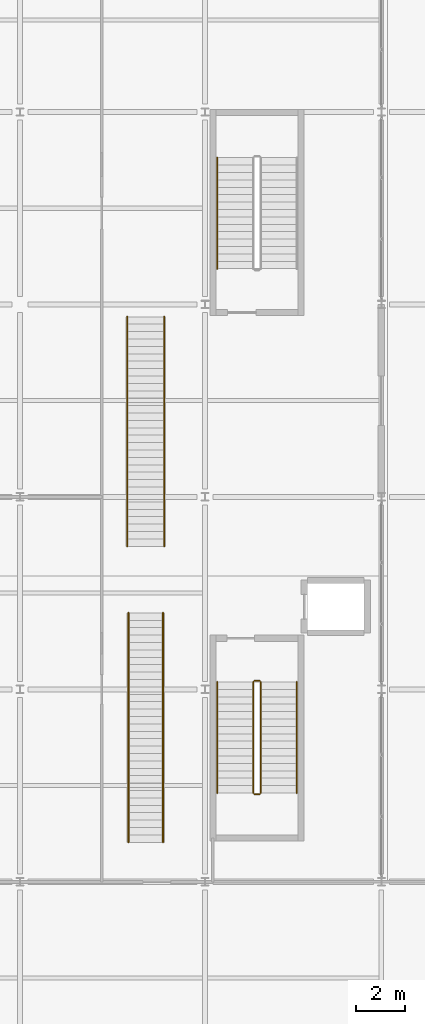
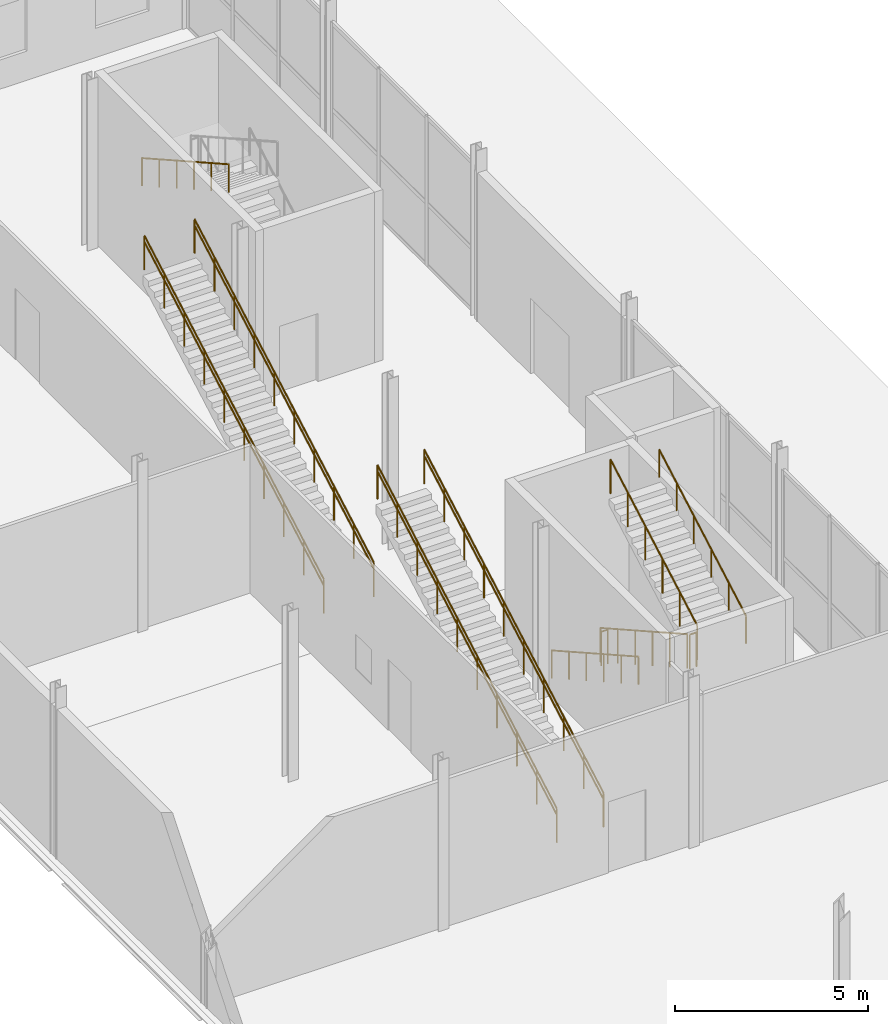
# One storey, part 75 of 83: 15 railings.
"""IFC4 building model written with IfcOpenShell, lengths in metres."""

from ifc_helpers import new_model, si_unit, direction, frame, origin, origin_2d, place, context, subcontext, project, spatial, circle, extrude, material, type_object, element, save


model = new_model("IFC4")

# Units and contexts
model_context = context("Model", 3, precision=1e-05, world=origin(), true_north=direction((0.0, 1.0)))
body_context = subcontext(model_context, "Body", "Model", "MODEL_VIEW")
ifc_project = project(units=[si_unit("LENGTHUNIT", "METRE"), si_unit("AREAUNIT", "SQUARE_METRE"), si_unit("VOLUMEUNIT", "CUBIC_METRE"), si_unit("PLANEANGLEUNIT", "RADIAN"), si_unit("MASSUNIT", "GRAM", prefix="KILO")], contexts=[model_context])

# Site, building, storey
site_placement = place(None, origin())
site = spatial("IfcSite", under=ifc_project, at=site_placement, CompositionType="ELEMENT")
building_placement = place(site_placement, origin())
building = spatial("IfcBuilding", under=site, at=building_placement, Name="Quillay Park Conservatory", CompositionType="ELEMENT")
storey_placement = place(building_placement, origin())
storey = spatial("IfcBuildingStorey", under=building, at=storey_placement, Name="L00", CompositionType="ELEMENT", Elevation=0.0)

# Railings
ifc_material_1 = material(Name="Steel S355J2H", Category="steel")
railing_type_1 = type_object("IfcRailingType", Name="STAIR WALL HANDRAIL 900", PredefinedType="HANDRAIL", material=ifc_material_1)
railing_1_placement = place(storey_placement, frame((15.5, 23.699951171875, 0.168701171875)))
element("IfcRailing", 1, at=railing_1_placement, inside=storey, type_object=railing_type_1, Name="L00 ST-V1 stair handrail 1", PredefinedType="HANDRAIL", context=body_context, shape_type="SweptSolid", body=[
    extrude(circle(Radius=0.02392578125, at=origin_2d()), frame((0.0, 0.0, 0.8759765625), z_axis=(0.0, -0.871575537125, 0.490261239633), x_axis=(1.0, 0.0, 0.0)), (0.0, 0.0, 1.0), 5.1630859375),
    extrude(circle(Radius=0.02099609375, at=origin_2d()), origin(), (0.0, 0.0, 1.0), 0.851806640625),
    extrude(circle(Radius=0.02099609375, at=origin_2d()), frame((0.0, -0.89990234375, 0.50634765625)), (0.0, 0.0, 1.0), 0.851806640625),
    extrude(circle(Radius=0.02099609375, at=origin_2d()), frame((0.0, -1.800048828125, 1.012451171875)), (0.0, 0.0, 1.0), 0.851806640625),
    extrude(circle(Radius=0.02099609375, at=origin_2d()), frame((0.0, -2.699951171875, 1.518798828125)), (0.0, 0.0, 1.0), 0.851806640625),
    extrude(circle(Radius=0.02099609375, at=origin_2d()), frame((0.0, -3.60009765625, 2.02490234375)), (0.0, 0.0, 1.0), 0.851806640625),
    extrude(circle(Radius=0.02099609375, at=origin_2d()), frame((0.0, -4.5, 2.53125)), (0.0, 0.0, 1.0), 0.851806640625),
])
railing_2_placement = place(storey_placement, frame((18.719970703125, 19.199951171875, 2.86865234375)))
element("IfcRailing", 2, at=railing_2_placement, inside=storey, type_object=railing_type_1, Name="L00 ST-V1 stair handrail 2", PredefinedType="HANDRAIL", context=body_context, shape_type="SweptSolid", body=[
    extrude(circle(Radius=0.02392578125, at=origin_2d()), frame((0.0, 0.0, 0.8759765625), z_axis=(0.0, 0.871575537125, 0.490261239633), x_axis=(-1.0, 0.0, 0.0)), (0.0, 0.0, 1.0), 5.1630859375),
    extrude(circle(Radius=0.02099609375, at=origin_2d()), origin(), (0.0, 0.0, 1.0), 0.851806640625),
    extrude(circle(Radius=0.02099609375, at=origin_2d()), frame((0.0, 0.89990234375, 0.50634765625)), (0.0, 0.0, 1.0), 0.851806640625),
    extrude(circle(Radius=0.02099609375, at=origin_2d()), frame((0.0, 1.800048828125, 1.012451171875)), (0.0, 0.0, 1.0), 0.851806640625),
    extrude(circle(Radius=0.02099609375, at=origin_2d()), frame((0.0, 2.699951171875, 1.518798828125)), (0.0, 0.0, 1.0), 0.851806640625),
    extrude(circle(Radius=0.02099609375, at=origin_2d()), frame((0.0, 3.60009765625, 2.02490234375)), (0.0, 0.0, 1.0), 0.851806640625),
    extrude(circle(Radius=0.02099609375, at=origin_2d()), frame((0.0, 4.5, 2.53125)), (0.0, 0.0, 1.0), 0.851806640625),
])
railing_3_placement = place(storey_placement, frame((15.5, 44.949951171875, 2.86865234375)))
element("IfcRailing", 3, at=railing_3_placement, inside=storey, type_object=railing_type_1, Name="L00 ST-V2 stair handrail 2", PredefinedType="HANDRAIL", context=body_context, shape_type="SweptSolid", body=[
    extrude(circle(Radius=0.02392578125, at=origin_2d()), frame((0.0, 0.0, 0.8759765625), z_axis=(0.0, -0.871575537125, 0.490261239633), x_axis=(1.0, 0.0, 0.0)), (0.0, 0.0, 1.0), 5.1630859375),
    extrude(circle(Radius=0.02099609375, at=origin_2d()), origin(), (0.0, 0.0, 1.0), 0.851806640625),
    extrude(circle(Radius=0.02099609375, at=origin_2d()), frame((0.0, -0.89990234375, 0.50634765625)), (0.0, 0.0, 1.0), 0.851806640625),
    extrude(circle(Radius=0.02099609375, at=origin_2d()), frame((0.0, -1.800048828125, 1.012451171875)), (0.0, 0.0, 1.0), 0.851806640625),
    extrude(circle(Radius=0.02099609375, at=origin_2d()), frame((0.0, -2.699951171875, 1.518798828125)), (0.0, 0.0, 1.0), 0.851806640625),
    extrude(circle(Radius=0.02099609375, at=origin_2d()), frame((0.0, -3.60009765625, 2.02490234375)), (0.0, 0.0, 1.0), 0.851806640625),
    extrude(circle(Radius=0.02099609375, at=origin_2d()), frame((0.0, -4.5, 2.53125)), (0.0, 0.0, 1.0), 0.851806640625),
])
for number, where, name in (
    (4, (13.300048828125, 17.199951171875, 0.168701171875), "ST-FT03-L00 Feature Stair Handrail L"),
    (5, (11.89990234375, 17.199951171875, 0.168701171875), "ST-FT03-L00 Feature Stair Handrail R"),
    (6, (13.35009765625, 29.199951171875, 0.168701171875), "ST-FT04-L00 Feature Stair Handrail L"),
    (7, (11.85009765625, 29.199951171875, 0.168701171875), "ST-FT04-L00 Feature Stair Handrail R"),
):
    element("IfcRailing", number, at=place(storey_placement, frame(where)), inside=storey, type_object=railing_type_1, Name=name, PredefinedType="HANDRAIL", context=body_context, shape_type="SweptSolid", body=[
        extrude(circle(Radius=0.02392578125, at=origin_2d()), frame((0.0, 0.0, 0.8759765625), z_axis=(0.0, 0.871578592338, 0.490255808102), x_axis=(-1.0, 0.0, 0.0)), (0.0, 0.0, 1.0), 10.67041015625),
        extrude(circle(Radius=0.02099609375, at=origin_2d()), origin(), (0.0, 0.0, 1.0), 0.851806640625),
        extrude(circle(Radius=0.02099609375, at=origin_2d()), frame((0.0, 1.033447265625, 0.581298828125)), (0.0, 0.0, 1.0), 0.851806640625),
        extrude(circle(Radius=0.02099609375, at=origin_2d()), frame((0.0, 2.066650390625, 1.16259765625)), (0.0, 0.0, 1.0), 0.851806640625),
        extrude(circle(Radius=0.02099609375, at=origin_2d()), frame((0.0, 3.10009765625, 1.74365234375)), (0.0, 0.0, 1.0), 0.851806640625),
        extrude(circle(Radius=0.02099609375, at=origin_2d()), frame((0.0, 4.13330078125, 2.324951171875)), (0.0, 0.0, 1.0), 0.851806640625),
        extrude(circle(Radius=0.02099609375, at=origin_2d()), frame((0.0, 5.166748046875, 2.90625)), (0.0, 0.0, 1.0), 0.851806640625),
        extrude(circle(Radius=0.02099609375, at=origin_2d()), frame((0.0, 6.199951171875, 3.487548828125)), (0.0, 0.0, 1.0), 0.851806640625),
        extrude(circle(Radius=0.02099609375, at=origin_2d()), frame((0.0, 7.2333984375, 4.068603515625)), (0.0, 0.0, 1.0), 0.851806640625),
        extrude(circle(Radius=0.02099609375, at=origin_2d()), frame((0.0, 8.2666015625, 4.64990234375)), (0.0, 0.0, 1.0), 0.851806640625),
        extrude(circle(Radius=0.02099609375, at=origin_2d()), frame((0.0, 9.300048828125, 5.231201171875)), (0.0, 0.0, 1.0), 0.851806640625),
    ])
ifc_material_2 = material(Name="Steel S355J2H", Category="steel")
railing_type_2 = type_object("IfcRailingType", Name="STAIR WELL GUARDRAIL 1100", PredefinedType="GUARDRAIL", material=ifc_material_2)
railing_4_placement = place(storey_placement, frame((16.9599609375, 23.699951171875, 0.168701171875)))
element("IfcRailing", 8, at=railing_4_placement, inside=storey, type_object=railing_type_2, Name="L00 ST-V1 stair guard 1", PredefinedType="GUARDRAIL", context=body_context, shape_type="SweptSolid", body=[
    extrude(circle(Radius=0.02392578125, at=origin_2d()), frame((0.0, 0.0, 1.076171875), z_axis=(0.0, -0.871575537125, 0.490261239633), x_axis=(1.0, 0.0, 0.0)), (0.0, 0.0, 1.0), 5.1630859375),
    extrude(circle(Radius=0.02099609375, at=origin_2d()), origin(), (0.0, 0.0, 1.0), 1.052001953125),
    extrude(circle(Radius=0.02099609375, at=origin_2d()), frame((0.0, -0.89990234375, 0.50634765625)), (0.0, 0.0, 1.0), 1.052001953125),
    extrude(circle(Radius=0.02099609375, at=origin_2d()), frame((0.0, -1.800048828125, 1.012451171875)), (0.0, 0.0, 1.0), 1.052001953125),
    extrude(circle(Radius=0.02099609375, at=origin_2d()), frame((0.0, -2.699951171875, 1.518798828125)), (0.0, 0.0, 1.0), 1.052001953125),
    extrude(circle(Radius=0.02099609375, at=origin_2d()), frame((0.0, -3.60009765625, 2.02490234375)), (0.0, 0.0, 1.0), 1.052001953125),
    extrude(circle(Radius=0.02099609375, at=origin_2d()), frame((0.0, -4.5, 2.53125)), (0.0, 0.0, 1.0), 1.052001953125),
])
railing_5_placement = place(storey_placement, frame((17.010009765625, 19.14990234375, 2.699951171875)))
element("IfcRailing", 9, at=railing_5_placement, inside=storey, type_object=railing_type_2, Name="L00 ST-V1 stair guard 2", PredefinedType="GUARDRAIL", context=body_context, shape_type="SweptSolid", body=[
    extrude(circle(Radius=0.02392578125, at=origin_2d()), frame((0.0, 0.0, 1.076171875), z_axis=(1.0, 0.0, 0.0), x_axis=(0.0, 1.0, 0.0)), (0.0, 0.0, 1.0), 0.199951171875),
    extrude(circle(Radius=0.02099609375, at=origin_2d()), origin(), (0.0, 0.0, 1.0), 1.052001953125),
    extrude(circle(Radius=0.02099609375, at=origin_2d()), frame((0.199951171875, 0.0, 0.0)), (0.0, 0.0, 1.0), 1.052001953125),
])
railing_6_placement = place(storey_placement, frame((17.260009765625, 19.199951171875, 2.86865234375)))
element("IfcRailing", 10, at=railing_6_placement, inside=storey, type_object=railing_type_2, Name="L00 ST-V1 stair guard 3", PredefinedType="GUARDRAIL", context=body_context, shape_type="SweptSolid", body=[
    extrude(circle(Radius=0.02392578125, at=origin_2d()), frame((0.0, 0.0, 1.076171875), z_axis=(0.0, 0.871575537125, 0.490261239633), x_axis=(-1.0, 0.0, 0.0)), (0.0, 0.0, 1.0), 5.1630859375),
    extrude(circle(Radius=0.02099609375, at=origin_2d()), origin(), (0.0, 0.0, 1.0), 1.052001953125),
    extrude(circle(Radius=0.02099609375, at=origin_2d()), frame((0.0, 0.89990234375, 0.50634765625)), (0.0, 0.0, 1.0), 1.052001953125),
    extrude(circle(Radius=0.02099609375, at=origin_2d()), frame((0.0, 1.800048828125, 1.012451171875)), (0.0, 0.0, 1.0), 1.052001953125),
    extrude(circle(Radius=0.02099609375, at=origin_2d()), frame((0.0, 2.699951171875, 1.518798828125)), (0.0, 0.0, 1.0), 1.052001953125),
    extrude(circle(Radius=0.02099609375, at=origin_2d()), frame((0.0, 3.60009765625, 2.02490234375)), (0.0, 0.0, 1.0), 1.052001953125),
    extrude(circle(Radius=0.02099609375, at=origin_2d()), frame((0.0, 4.5, 2.53125)), (0.0, 0.0, 1.0), 1.052001953125),
])
railing_7_placement = place(storey_placement, frame((17.010009765625, 23.75, 0.0)))
element("IfcRailing", 11, at=railing_7_placement, inside=storey, type_object=railing_type_2, Name="L00 ST-V1 stair guard 4", PredefinedType="GUARDRAIL", context=body_context, shape_type="SweptSolid", body=[
    extrude(circle(Radius=0.02392578125, at=origin_2d()), frame((0.0, 0.0, 1.076171875), z_axis=(1.0, 0.0, 0.0), x_axis=(0.0, 1.0, 0.0)), (0.0, 0.0, 1.0), 0.199951171875),
    extrude(circle(Radius=0.02099609375, at=origin_2d()), origin(), (0.0, 0.0, 1.0), 1.052001953125),
    extrude(circle(Radius=0.02099609375, at=origin_2d()), frame((0.199951171875, 0.0, 0.0)), (0.0, 0.0, 1.0), 1.052001953125),
])
for number, where, name in (
    (12, (13.300048828125, 17.199951171875, 0.168701171875), "ST-FT03-L00 Feature Stair Guardrail L"),
    (13, (11.89990234375, 17.199951171875, 0.168701171875), "ST-FT03-L00 Feature Stair Guardrail R"),
    (14, (13.35009765625, 29.199951171875, 0.168701171875), "ST-FT04-L00 Feature Stair Guardrail L"),
    (15, (11.85009765625, 29.199951171875, 0.168701171875), "ST-FT04-L00 Feature Stair Guardrail R"),
):
    element("IfcRailing", number, at=place(storey_placement, frame(where)), inside=storey, type_object=railing_type_2, Name=name, PredefinedType="GUARDRAIL", context=body_context, shape_type="SweptSolid", body=[
        extrude(circle(Radius=0.02392578125, at=origin_2d()), frame((0.0, 0.0, 1.076171875), z_axis=(0.0, 0.871578592338, 0.490255808102), x_axis=(-1.0, 0.0, 0.0)), (0.0, 0.0, 1.0), 10.67041015625),
        extrude(circle(Radius=0.02099609375, at=origin_2d()), origin(), (0.0, 0.0, 1.0), 1.052001953125),
        extrude(circle(Radius=0.02099609375, at=origin_2d()), frame((0.0, 1.033447265625, 0.581298828125)), (0.0, 0.0, 1.0), 1.052001953125),
        extrude(circle(Radius=0.02099609375, at=origin_2d()), frame((0.0, 2.066650390625, 1.16259765625)), (0.0, 0.0, 1.0), 1.052001953125),
        extrude(circle(Radius=0.02099609375, at=origin_2d()), frame((0.0, 3.10009765625, 1.74365234375)), (0.0, 0.0, 1.0), 1.052001953125),
        extrude(circle(Radius=0.02099609375, at=origin_2d()), frame((0.0, 4.13330078125, 2.324951171875)), (0.0, 0.0, 1.0), 1.052001953125),
        extrude(circle(Radius=0.02099609375, at=origin_2d()), frame((0.0, 5.166748046875, 2.90625)), (0.0, 0.0, 1.0), 1.052001953125),
        extrude(circle(Radius=0.02099609375, at=origin_2d()), frame((0.0, 6.199951171875, 3.487548828125)), (0.0, 0.0, 1.0), 1.052001953125),
        extrude(circle(Radius=0.02099609375, at=origin_2d()), frame((0.0, 7.2333984375, 4.068603515625)), (0.0, 0.0, 1.0), 1.052001953125),
        extrude(circle(Radius=0.02099609375, at=origin_2d()), frame((0.0, 8.2666015625, 4.64990234375)), (0.0, 0.0, 1.0), 1.052001953125),
        extrude(circle(Radius=0.02099609375, at=origin_2d()), frame((0.0, 9.300048828125, 5.231201171875)), (0.0, 0.0, 1.0), 1.052001953125),
    ])

save(model, "model.ifc")
